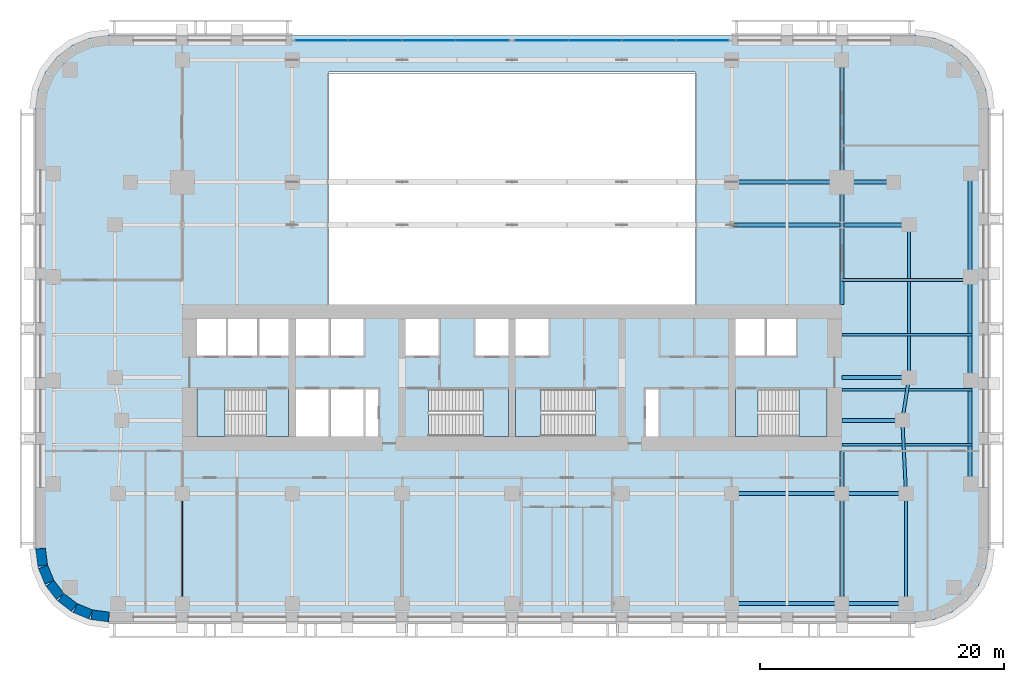
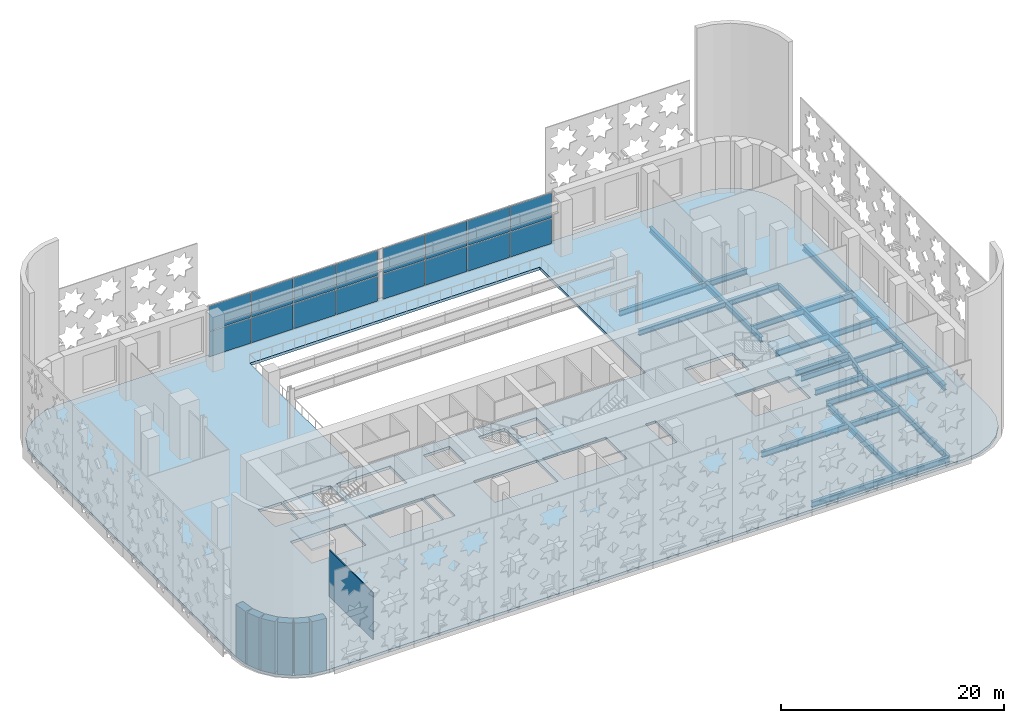
# One storey, part 3 of 17: 19 beams, 16 plates, 9 slabs, 7 walls, 6 elements without a shape of their own.
"""IFC4 building model written with IfcOpenShell, lengths in metres."""

import ifcopenshell
import ifcopenshell.guid

model = None  # the IFC model being written
_history = None  # IfcOwnerHistory: only IFC2X3 demands one
_inside = {}  # id of a spatial element -> (the spatial element, [elements in it])
_under = {}  # id of a project, library or spatial element -> (it, [spatial elements below it])
_declared = {}  # id of a project -> (the project, [libraries it declares])
_typed = {}  # id of a type object -> (the type object, [elements of that type])
_made_of = {}  # id of a material, layer set ... -> (it, [elements and type objects made of it])


def new_model(schema):
    """Start an empty IFC model of exactly this schema.

    Asked for "IFC4X3", IfcOpenShell would pick the latest addendum, in which some entities
    have other attributes; the version numbers below select the first issue.
    IFC2X3 requires an IfcOwnerHistory on every rooted entity: one is made here for all.
    """
    global model, _history
    if schema == "IFC4X3":
        model = ifcopenshell.file(schema_version=(4, 3, 0, 0))
    else:
        model = ifcopenshell.file(schema=schema)
    _inside.clear()
    _under.clear()
    _declared.clear()
    _typed.clear()
    _made_of.clear()
    _history = None
    if model.schema == "IFC2X3":
        org = make("IfcOrganization", Name="unknown")
        user = make(
            "IfcPersonAndOrganization",
            ThePerson=make("IfcPerson", FamilyName="unknown"),
            TheOrganization=org,
        )
        app = make(
            "IfcApplication",
            ApplicationDeveloper=org,
            Version="unknown",
            ApplicationFullName="unknown",
            ApplicationIdentifier="unknown",
        )
        _history = make(
            "IfcOwnerHistory",
            OwningUser=user,
            OwningApplication=app,
            ChangeAction="ADDED",
            CreationDate=0,
        )
    return model


def make(cls, **values):
    """One entity of the class cls with the attributes given. An attribute that is None is left unset."""
    return model.create_entity(
        cls, **{name: value for name, value in values.items() if value is not None}
    )


def rooted(cls, **values):
    """An entity with a GlobalId (a new one), such as an element, a storey or a relation."""
    return make(cls, GlobalId=ifcopenshell.guid.new(), OwnerHistory=_history, **values)


def si_unit(unit_type, name, prefix=None):
    """IfcSIUnit, for example si_unit("LENGTHUNIT", "METRE", prefix="MILLI")."""
    return make("IfcSIUnit", UnitType=unit_type, Prefix=prefix, Name=name)


def assignment(units):
    """IfcUnitAssignment: the units of a project."""
    return None if units is None else make("IfcUnitAssignment", Units=units)


def point(xyz):
    """IfcCartesianPoint."""
    return None if xyz is None else make("IfcCartesianPoint", Coordinates=xyz)


def direction(xyz):
    """IfcDirection."""
    return None if xyz is None else make("IfcDirection", DirectionRatios=xyz)


def frame(location, z_axis=None, x_axis=None):
    """IfcAxis2Placement3D, a coordinate frame: its origin and axes. An axis left out is left unset."""
    return make(
        "IfcAxis2Placement3D",
        Location=point(location),
        Axis=direction(z_axis),
        RefDirection=direction(x_axis),
    )


def frame_2d(location, x_axis=None):
    """IfcAxis2Placement2D, a coordinate frame in the plane: its origin and x axis."""
    return make(
        "IfcAxis2Placement2D", Location=point(location), RefDirection=direction(x_axis)
    )


def origin():
    """The frame at (0, 0, 0) with its axes left unset."""
    return frame((0.0, 0.0, 0.0))


def origin_2d():
    """The frame at (0, 0) in the plane with its x axis left unset."""
    return frame_2d((0.0, 0.0))


def place(relative_to, where):
    """IfcLocalPlacement: puts the frame where relative to a parent placement (None: the world)."""
    return make(
        "IfcLocalPlacement", PlacementRelTo=relative_to, RelativePlacement=where
    )


def context(
    kind, dimensions, precision=None, world=None, true_north=None, identifier=None
):
    """IfcGeometricRepresentationContext, for example the 3D "Model" context."""
    return make(
        "IfcGeometricRepresentationContext",
        ContextIdentifier=identifier,
        ContextType=kind,
        CoordinateSpaceDimension=dimensions,
        Precision=precision,
        WorldCoordinateSystem=world,
        TrueNorth=true_north,
    )


def subcontext(parent, identifier, kind, view, scale=None):
    """IfcGeometricRepresentationSubContext, for example "Body" below "Model"."""
    return make(
        "IfcGeometricRepresentationSubContext",
        ContextIdentifier=identifier,
        ContextType=kind,
        ParentContext=parent,
        TargetScale=scale,
        TargetView=view,
    )


def project(units=None, contexts=None):
    """IfcProject with its units and contexts."""
    return rooted(
        "IfcProject",
        Name="project",
        RepresentationContexts=contexts,
        UnitsInContext=assignment(units),
    )


def spatial(cls, under=None, at=None, **own):
    """A site, building, storey or space (cls), placed at a placement, below another one or the project."""
    s = rooted(cls, ObjectPlacement=at, **own)
    if under is not None:
        _under.setdefault(under.id(), (under, []))[1].append(s)
    return s


def polyline(points):
    """IfcPolyline through the points."""
    return make("IfcPolyline", Points=[point(p) for p in points])


def profile(cls, at=None, kind="AREA", **sizes):
    """A parametric profile (cls). Its sizes go by their IFC names, for example OverallWidth=200.0."""
    return make(cls, ProfileType=kind, Position=at, **sizes)


def rectangle(**sizes):
    """IfcRectangleProfileDef."""
    return profile("IfcRectangleProfileDef", **sizes)


def i_section(**sizes):
    """IfcIShapeProfileDef."""
    return profile("IfcIShapeProfileDef", **sizes)


def outline(outer, holes=None, kind="AREA"):
    """IfcArbitraryClosedProfileDef: a profile drawn as a closed curve; with holes, ...WithVoids."""
    if holes is None:
        return make("IfcArbitraryClosedProfileDef", ProfileType=kind, OuterCurve=outer)
    return make(
        "IfcArbitraryProfileDefWithVoids",
        ProfileType=kind,
        OuterCurve=outer,
        InnerCurves=holes,
    )


def extrude(swept, where, along, depth):
    """IfcExtrudedAreaSolid: the profile swept, set in the frame where, extruded along a direction by depth."""
    return make(
        "IfcExtrudedAreaSolid",
        SweptArea=swept,
        Position=where,
        ExtrudedDirection=direction(along),
        Depth=depth,
    )


def shape(context_of_items, identifier, shape_type, items):
    """IfcShapeRepresentation: the items that make up one representation, for example the "Body"."""
    return make(
        "IfcShapeRepresentation",
        ContextOfItems=context_of_items,
        RepresentationIdentifier=identifier,
        RepresentationType=shape_type,
        Items=items,
    )


def material(Name=None, Category=None):
    """IfcMaterial."""
    return make("IfcMaterial", Name=Name, Category=Category)


def layer(
    of_material, thickness, ventilated=None, Name=None, Category=None, Priority=None
):
    """IfcMaterialLayer: one layer of a wall or slab, of a material (None: an air gap)."""
    return make(
        "IfcMaterialLayer",
        Material=of_material,
        LayerThickness=thickness,
        IsVentilated=ventilated,
        Name=Name,
        Category=Category,
        Priority=Priority,
    )


def layer_set(layers, Name=None):
    """IfcMaterialLayerSet."""
    return make("IfcMaterialLayerSet", MaterialLayers=layers, LayerSetName=Name)


def material_profile(
    of_material, cross_section, Name=None, Category=None, Priority=None
):
    """IfcMaterialProfile: a cross section and its material."""
    return make(
        "IfcMaterialProfile",
        Name=Name,
        Material=of_material,
        Profile=cross_section,
        Priority=Priority,
        Category=Category,
    )


def profile_set(profiles, Name=None, composite=None):
    """IfcMaterialProfileSet."""
    return make(
        "IfcMaterialProfileSet",
        Name=Name,
        MaterialProfiles=profiles,
        CompositeProfile=composite,
    )


def made_of(thing, what):
    """Note that an element or type object is made of a material, layer set ...; save() writes the relation."""
    if what is not None:
        _made_of.setdefault(what.id(), (what, []))[1].append(thing)
    return thing


def type_object(cls, material=None, **own):
    """A type object (cls), such as IfcWallType, which elements share."""
    return made_of(rooted(cls, **own), material)


def element(
    cls,
    number,
    at=None,
    inside=None,
    cuts=None,
    type_object=None,
    material=None,
    context=None,
    identifier="Body",
    shape_type=None,
    held_by="IfcProductDefinitionShape",
    body=None,
    shapes=None,
    **own,
):
    """One element of the class cls, such as IfcWall. Its Tag is "e" and its number.

    at: its placement. inside: the storey or other place that contains it. cuts: it is an
    opening in that element (IfcRelVoidsElement). A single representation is given by context,
    identifier, shape_type and body (its items); several are given by shapes. held_by: the class
    of the entity that holds the representations. save() writes the other relations.
    """
    e = rooted(cls, Tag="e%d" % number, ObjectPlacement=at, **own)
    if body is not None:
        shapes = [shape(context, identifier, shape_type, body)]
    if shapes is not None:
        e.Representation = make(held_by, Representations=shapes)
    if inside is not None:
        _inside.setdefault(inside.id(), (inside, []))[1].append(e)
    if cuts is not None:
        rooted(
            "IfcRelVoidsElement", RelatingBuildingElement=cuts, RelatedOpeningElement=e
        )
    if type_object is not None:
        _typed.setdefault(type_object.id(), (type_object, []))[1].append(e)
    return made_of(e, material)


def aggregate(whole, parts):
    """IfcRelAggregates: a whole, such as a stair, and the parts it consists of."""
    return rooted("IfcRelAggregates", RelatingObject=whole, RelatedObjects=parts)


def save(model, path):
    """Write the relations noted so far, then the file.

    IfcRelAggregates (storeys below a building ...), IfcRelContainedInSpatialStructure (elements
    in a storey), IfcRelDefinesByType, IfcRelAssociatesMaterial and IfcRelDeclares: one each for
    every whole, place, type object, material and project.
    """
    for whole, parts in _under.values():
        aggregate(whole, parts)
    for where, things in _inside.values():
        rooted(
            "IfcRelContainedInSpatialStructure",
            RelatedElements=things,
            RelatingStructure=where,
        )
    for kind, things in _typed.values():
        rooted("IfcRelDefinesByType", RelatedObjects=things, RelatingType=kind)
    for what, things in _made_of.values():
        rooted("IfcRelAssociatesMaterial", RelatedObjects=things, RelatingMaterial=what)
    for by, libraries in _declared.values():
        rooted("IfcRelDeclares", RelatingContext=by, RelatedDefinitions=libraries)
    model.write(path)


model = new_model("IFC4")

# Units and contexts
model_context = context("Model", 3, precision=1e-05, world=origin(), true_north=direction((0.0, 1.0)))
body_context = subcontext(model_context, "Body", "Model", "MODEL_VIEW")
ifc_project = project(units=[si_unit("LENGTHUNIT", "METRE"), si_unit("AREAUNIT", "SQUARE_METRE"), si_unit("VOLUMEUNIT", "CUBIC_METRE"), si_unit("PLANEANGLEUNIT", "RADIAN"), si_unit("MASSUNIT", "GRAM", prefix="KILO")], contexts=[model_context])

# Site, building, storey
site_placement = place(None, origin())
site = spatial("IfcSite", under=ifc_project, at=site_placement, CompositionType="ELEMENT")
building_placement = place(site_placement, origin())
building = spatial("IfcBuilding", under=site, at=building_placement, Name="Zellij Exchange Tower", CompositionType="ELEMENT")
storey_placement = place(building_placement, frame((0.0, 0.0, 21.0)))
storey = spatial("IfcBuildingStorey", under=building, at=storey_placement, Name="L03", CompositionType="ELEMENT", Elevation=21.0)

# Beams
ifc_material_1 = material(Name="Structural steel ASTM A992 Gr 50", Category="steel")
ifc_material_profile_1 = material_profile(ifc_material_1, i_section(OverallWidth=0.22900390625, OverallDepth=0.612060546875, WebThickness=0.011962890625, FlangeThickness=0.01953125, at=origin_2d()), Name="W24x84")
ifc_profile_set_1 = profile_set([ifc_material_profile_1], Name="Structural steel ASTM A992 Gr 50")
beam_type_1 = type_object("IfcBeamType", Name="STR-BEAM W24x84", PredefinedType="BEAM", material=ifc_profile_set_1)
for number, where, z_axis, x_axis, name in (
    (1, (27.0, -13.5, -0.606201171875), (1.0, 0.0, 0.0), (0.0, 1.0, 0.0), "B6"),
    (2, (27.0, -9.0, -0.606201171875), (1.0, 0.0, 0.0), (0.0, 1.0, 0.0), "B6"),
    (3, (27.0, -4.5, -0.606201171875), (1.0, 0.0, 0.0), (0.0, 1.0, 0.0), "B6"),
    (4, (27.0, 0.0, -0.606201171875), (1.0, 0.0, 0.0), (0.0, 1.0, 0.0), "B6"),
):
    element("IfcBeam", number, at=place(storey_placement, frame(where, z_axis=z_axis, x_axis=x_axis)), inside=storey, type_object=beam_type_1, Name=name, PredefinedType="BEAM", context=body_context, shape_type="SweptSolid", body=[
        extrude(i_section(OverallWidth=0.22900390625, OverallDepth=0.612060546875, WebThickness=0.011962890625, FlangeThickness=0.01953125, at=origin_2d()), origin(), (0.0, 0.0, 1.0), 10.66259765625),
    ])
ifc_material_profile_2 = material_profile(ifc_material_1, i_section(OverallWidth=0.25390625, OverallDepth=0.67822265625, WebThickness=0.01171875, FlangeThickness=0.016357421875, at=origin_2d()), Name="W27x84")
ifc_profile_set_2 = profile_set([ifc_material_profile_2], Name="Structural steel ASTM A992 Gr 50")
beam_type_2 = type_object("IfcBeamType", Name="STR-EDGE GIRDER W27x84", PredefinedType="BEAM", material=ifc_profile_set_2)
beam_1_placement = place(storey_placement, frame((32.25, -26.5, -0.63916015625), z_axis=(0.0, 1.0, 0.0), x_axis=(-1.0, 0.0, 0.0)))
element("IfcBeam", 5, at=beam_1_placement, inside=storey, type_object=beam_type_2, Name="EB7", PredefinedType="BEAM", context=body_context, shape_type="SweptSolid", body=[
    extrude(i_section(OverallWidth=0.25390625, OverallDepth=0.67822265625, WebThickness=0.01171875, FlangeThickness=0.016357421875, at=origin_2d()), origin(), (0.0, 0.0, 1.0), 9.0),
])
beam_2_placement = place(storey_placement, frame((32.25, -17.5, -0.63916015625), z_axis=(-0.049945724537, 0.998751933465, 0.0), x_axis=(-0.998751933465, -0.049945724537, 0.0)))
element("IfcBeam", 6, at=beam_2_placement, inside=storey, type_object=beam_type_2, Name="EB7", PredefinedType="BEAM", context=body_context, shape_type="SweptSolid", body=[
    extrude(i_section(OverallWidth=0.25390625, OverallDepth=0.67822265625, WebThickness=0.01171875, FlangeThickness=0.016357421875, at=origin_2d()), origin(), (0.0, 0.0, 1.0), 6.007568359375),
])
beam_3_placement = place(storey_placement, frame((31.949951171875, -11.5, -0.63916015625), z_axis=(0.155251283593, 0.987875011802, 0.0), x_axis=(-0.987875011802, 0.155251283593, 0.0)))
element("IfcBeam", 7, at=beam_3_placement, inside=storey, type_object=beam_type_2, Name="EB7", PredefinedType="BEAM", context=body_context, shape_type="SweptSolid", body=[
    extrude(i_section(OverallWidth=0.25390625, OverallDepth=0.67822265625, WebThickness=0.01171875, FlangeThickness=0.016357421875, at=origin_2d()), origin(), (0.0, 0.0, 1.0), 3.54296875),
])
beam_4_placement = place(storey_placement, frame((32.5, -8.0, -0.63916015625), z_axis=(0.0, 1.0, 0.0), x_axis=(-1.0, 0.0, 0.0)))
element("IfcBeam", 8, at=beam_4_placement, inside=storey, type_object=beam_type_2, Name="EB7", PredefinedType="BEAM", context=body_context, shape_type="SweptSolid", body=[
    extrude(i_section(OverallWidth=0.25390625, OverallDepth=0.67822265625, WebThickness=0.01171875, FlangeThickness=0.016357421875, at=origin_2d()), origin(), (0.0, 0.0, 1.0), 12.5),
])
ifc_material_profile_3 = material_profile(ifc_material_1, i_section(OverallWidth=0.3251953125, OverallDepth=0.612060546875, WebThickness=0.0126953125, FlangeThickness=0.01904296875, at=origin_2d()), Name="W24x104")
ifc_profile_set_3 = profile_set([ifc_material_profile_3], Name="Structural steel ASTM A992 Gr 50")
beam_type_3 = type_object("IfcBeamType", Name="STR-GIRDER W24x104", PredefinedType="BEAM", material=ifc_profile_set_3)
for number, where, z_axis, x_axis, name in (
    (9, (18.0, -26.5, -0.606201171875), (1.0, 0.0, 0.0), (0.0, 1.0, 0.0), "G3"),
    (10, (18.0, -17.5, -0.606201171875), (1.0, 0.0, 0.0), (0.0, 1.0, 0.0), "G3"),
):
    element("IfcBeam", number, at=place(storey_placement, frame(where, z_axis=z_axis, x_axis=x_axis)), inside=storey, type_object=beam_type_3, Name=name, PredefinedType="BEAM", context=body_context, shape_type="SweptSolid", body=[
        extrude(i_section(OverallWidth=0.3251953125, OverallDepth=0.612060546875, WebThickness=0.0126953125, FlangeThickness=0.01904296875, at=origin_2d()), origin(), (0.0, 0.0, 1.0), 14.25),
    ])
beam_5_placement = place(storey_placement, frame((27.0, -11.5, -0.606201171875), z_axis=(1.0, 0.0, 0.0), x_axis=(0.0, 1.0, 0.0)))
element("IfcBeam", 11, at=beam_5_placement, inside=storey, type_object=beam_type_3, Name="G3", PredefinedType="BEAM", context=body_context, shape_type="SweptSolid", body=[
    extrude(i_section(OverallWidth=0.3251953125, OverallDepth=0.612060546875, WebThickness=0.0126953125, FlangeThickness=0.01904296875, at=origin_2d()), origin(), (0.0, 0.0, 1.0), 4.949951171875),
])
beam_6_placement = place(storey_placement, frame((27.0, -8.0, -0.606201171875), z_axis=(1.0, 0.0, 0.0), x_axis=(0.0, 1.0, 0.0)))
element("IfcBeam", 12, at=beam_6_placement, inside=storey, type_object=beam_type_3, Name="G3", PredefinedType="BEAM", context=body_context, shape_type="SweptSolid", body=[
    extrude(i_section(OverallWidth=0.3251953125, OverallDepth=0.612060546875, WebThickness=0.0126953125, FlangeThickness=0.01904296875, at=origin_2d()), origin(), (0.0, 0.0, 1.0), 5.5),
])
beam_7_placement = place(storey_placement, frame((18.0, 4.5, -0.606201171875), z_axis=(1.0, 0.0, 0.0), x_axis=(0.0, 1.0, 0.0)))
element("IfcBeam", 13, at=beam_7_placement, inside=storey, type_object=beam_type_3, Name="G3", PredefinedType="BEAM", context=body_context, shape_type="SweptSolid", body=[
    extrude(i_section(OverallWidth=0.3251953125, OverallDepth=0.612060546875, WebThickness=0.0126953125, FlangeThickness=0.01904296875, at=origin_2d()), origin(), (0.0, 0.0, 1.0), 14.5),
])
beam_8_placement = place(storey_placement, frame((18.0, 8.0, -0.606201171875), z_axis=(1.0, 0.0, 0.0), x_axis=(0.0, 1.0, 0.0)))
element("IfcBeam", 14, at=beam_8_placement, inside=storey, type_object=beam_type_3, Name="G3", PredefinedType="BEAM", context=body_context, shape_type="SweptSolid", body=[
    extrude(i_section(OverallWidth=0.3251953125, OverallDepth=0.612060546875, WebThickness=0.0126953125, FlangeThickness=0.01904296875, at=origin_2d()), origin(), (0.0, 0.0, 1.0), 13.25),
])
beam_9_placement = place(storey_placement, frame((27.0, -26.5, -0.606201171875), z_axis=(0.0, 1.0, 0.0), x_axis=(-1.0, 0.0, 0.0)))
element("IfcBeam", 15, at=beam_9_placement, inside=storey, type_object=beam_type_3, Name="G3", PredefinedType="BEAM", context=body_context, shape_type="SweptSolid", body=[
    extrude(i_section(OverallWidth=0.3251953125, OverallDepth=0.612060546875, WebThickness=0.0126953125, FlangeThickness=0.01904296875, at=origin_2d()), origin(), (0.0, 0.0, 1.0), 12.5),
])
for number, where, z_axis, x_axis, name in (
    (16, (27.0, -2.0, -0.606201171875), (0.0, 1.0, 0.0), (-1.0, 0.0, 0.0), "G3"),
    (17, (27.0, 8.0, -0.606201171875), (0.0, 1.0, 0.0), (-1.0, 0.0, 0.0), "G3"),
):
    element("IfcBeam", number, at=place(storey_placement, frame(where, z_axis=z_axis, x_axis=x_axis)), inside=storey, type_object=beam_type_3, Name=name, PredefinedType="BEAM", context=body_context, shape_type="SweptSolid", body=[
        extrude(i_section(OverallWidth=0.3251953125, OverallDepth=0.612060546875, WebThickness=0.0126953125, FlangeThickness=0.01904296875, at=origin_2d()), origin(), (0.0, 0.0, 1.0), 10.0),
    ])
beam_10_placement = place(storey_placement, frame((37.5, -16.708984375, -0.606201171875), z_axis=(0.0, 1.0, 0.0), x_axis=(-1.0, 0.0, 0.0)))
element("IfcBeam", 18, at=beam_10_placement, inside=storey, type_object=beam_type_3, Name="G3", PredefinedType="BEAM", context=body_context, shape_type="SweptSolid", body=[
    extrude(i_section(OverallWidth=0.3251953125, OverallDepth=0.612060546875, WebThickness=0.0126953125, FlangeThickness=0.01904296875, at=origin_2d()), origin(), (0.0, 0.0, 1.0), 16.945068359375),
])
beam_11_placement = place(storey_placement, frame((37.5, 0.236083984375, -0.606201171875), z_axis=(0.0, 1.0, 0.0), x_axis=(-1.0, 0.0, 0.0)))
element("IfcBeam", 19, at=beam_11_placement, inside=storey, type_object=beam_type_3, Name="G3", PredefinedType="BEAM", context=body_context, shape_type="SweptSolid", body=[
    extrude(i_section(OverallWidth=0.3251953125, OverallDepth=0.612060546875, WebThickness=0.0126953125, FlangeThickness=0.01904296875, at=origin_2d()), origin(), (0.0, 0.0, 1.0), 8.472900390625),
])

# Stair, slabs
ifc_material_2 = material(Name="Concrete C40/50", Category="concrete")
stair_type = type_object("IfcStairType", Name="CORE-ST exit stair 1850 wide", PredefinedType="HALF_TURN_STAIR", material=ifc_material_2)
stair_1_placement = place(storey_placement, origin())
stair_1 = element("IfcStair", 20, at=stair_1_placement, inside=storey, type_object=stair_type, Name="L03 exit stair ST1", PredefinedType="HALF_TURN_STAIR")
ifc_layer_1 = layer(ifc_material_2, 0.199951171875)
ifc_layer_set_1 = layer_set([ifc_layer_1], Name="Concrete C40/50")
slab_type_1 = type_object("IfcSlabType", Name="CORE-SL stair landing 200", PredefinedType="LANDING", material=ifc_layer_set_1)
slab_1_placement = place(storey_placement, frame((0.0, 0.0, 1.300048828125)))
slab_1 = element("IfcSlab", 21, at=slab_1_placement, type_object=slab_type_1, Name="ST1 landing 1", PredefinedType="LANDING", context=body_context, shape_type="SweptSolid", body=[
    extrude(outline(polyline([(-23.510009765625, -8.949951171875), (-25.800048828125, -8.949951171875), (-25.800048828125, -12.800048828125), (-23.510009765625, -12.800048828125), (-23.510009765625, -8.949951171875)])), origin(), (0.0, 0.0, 1.0), 0.199951171875),
])
slab_2_placement = place(storey_placement, frame((0.0, 0.0, 2.800048828125)))
slab_2 = element("IfcSlab", 22, at=slab_2_placement, type_object=slab_type_1, Name="ST1 landing 2", PredefinedType="LANDING", context=body_context, shape_type="SweptSolid", body=[
    extrude(outline(polyline([(-18.300048828125, -8.949951171875), (-20.14990234375, -8.949951171875), (-20.14990234375, -12.800048828125), (-18.300048828125, -12.800048828125), (-18.300048828125, -8.949951171875)])), origin(), (0.0, 0.0, 1.0), 0.199951171875),
])
slab_3_placement = place(storey_placement, frame((0.0, 0.0, 4.300048828125)))
slab_3 = element("IfcSlab", 23, at=slab_3_placement, type_object=slab_type_1, Name="ST1 landing 3", PredefinedType="LANDING", context=body_context, shape_type="SweptSolid", body=[
    extrude(outline(polyline([(-23.510009765625, -8.949951171875), (-25.800048828125, -8.949951171875), (-25.800048828125, -12.800048828125), (-23.510009765625, -12.800048828125), (-23.510009765625, -8.949951171875)])), origin(), (0.0, 0.0, 1.0), 0.199951171875),
])
aggregate(stair_1, [slab_1, slab_2, slab_3])

# Stair, slab
stair_2_placement = place(storey_placement, origin())
stair_2 = element("IfcStair", 24, at=stair_2_placement, inside=storey, type_object=stair_type, Name="L03 exit stair ST2", PredefinedType="HALF_TURN_STAIR")
slab_4_placement = place(storey_placement, frame((0.0, 0.0, 2.800048828125)))
slab_4 = element("IfcSlab", 25, at=slab_4_placement, type_object=slab_type_1, Name="ST2 landing 1", PredefinedType="LANDING", context=body_context, shape_type="SweptSolid", body=[
    extrude(outline(polyline([(-2.3701171875, -12.800048828125), (-0.300048828125, -12.800048828125), (-0.300048828125, -8.949951171875), (-2.3701171875, -8.949951171875), (-2.3701171875, -12.800048828125)])), origin(), (0.0, 0.0, 1.0), 0.199951171875),
])
aggregate(stair_2, [slab_4])

stair_3_placement = place(storey_placement, origin())
stair_3 = element("IfcStair", 26, at=stair_3_placement, inside=storey, type_object=stair_type, Name="L03 exit stair ST3", PredefinedType="HALF_TURN_STAIR")
slab_5_placement = place(storey_placement, frame((0.0, 0.0, 2.800048828125)))
slab_5 = element("IfcSlab", 27, at=slab_5_placement, type_object=slab_type_1, Name="ST3 landing 1", PredefinedType="LANDING", context=body_context, shape_type="SweptSolid", body=[
    extrude(outline(polyline([(2.3701171875, -8.949951171875), (0.300048828125, -8.949951171875), (0.300048828125, -12.800048828125), (2.3701171875, -12.800048828125), (2.3701171875, -8.949951171875)])), origin(), (0.0, 0.0, 1.0), 0.199951171875),
])
aggregate(stair_3, [slab_5])

# Stair, slabs
stair_4_placement = place(storey_placement, origin())
stair_4 = element("IfcStair", 28, at=stair_4_placement, inside=storey, type_object=stair_type, Name="L03 exit stair ST4", PredefinedType="HALF_TURN_STAIR")
slab_6_placement = place(storey_placement, frame((0.0, 0.0, 1.300048828125)))
slab_6 = element("IfcSlab", 29, at=slab_6_placement, type_object=slab_type_1, Name="ST4 landing 1", PredefinedType="LANDING", context=body_context, shape_type="SweptSolid", body=[
    extrude(outline(polyline([(23.510009765625, -12.800048828125), (25.800048828125, -12.800048828125), (25.800048828125, -8.949951171875), (23.510009765625, -8.949951171875), (23.510009765625, -12.800048828125)])), origin(), (0.0, 0.0, 1.0), 0.199951171875),
])
slab_7_placement = place(storey_placement, frame((0.0, 0.0, 2.800048828125)))
slab_7 = element("IfcSlab", 30, at=slab_7_placement, type_object=slab_type_1, Name="ST4 landing 2", PredefinedType="LANDING", context=body_context, shape_type="SweptSolid", body=[
    extrude(outline(polyline([(18.300048828125, -12.800048828125), (20.14990234375, -12.800048828125), (20.14990234375, -8.949951171875), (18.300048828125, -8.949951171875), (18.300048828125, -12.800048828125)])), origin(), (0.0, 0.0, 1.0), 0.199951171875),
])
slab_8_placement = place(storey_placement, frame((0.0, 0.0, 4.300048828125)))
slab_8 = element("IfcSlab", 31, at=slab_8_placement, type_object=slab_type_1, Name="ST4 landing 3", PredefinedType="LANDING", context=body_context, shape_type="SweptSolid", body=[
    extrude(outline(polyline([(23.510009765625, -12.800048828125), (25.800048828125, -12.800048828125), (25.800048828125, -8.949951171875), (23.510009765625, -8.949951171875), (23.510009765625, -12.800048828125)])), origin(), (0.0, 0.0, 1.0), 0.199951171875),
])
aggregate(stair_4, [slab_6, slab_7, slab_8])

# Curtain wall, plates
ifc_material_3 = material(Name="Aluminium frame, clear insulating glass", Category="aluminium")
curtain_wall_type = type_object("IfcCurtainWallType", Name="ENV-CW3 Exchange-hall glazing", PredefinedType="NOTDEFINED", material=ifc_material_3)
curtain_wall_1_placement = place(storey_placement, origin())
curtain_wall_1 = element("IfcCurtainWall", 32, at=curtain_wall_1_placement, inside=storey, type_object=curtain_wall_type, Name="cw.L03.14b", PredefinedType="NOTDEFINED")
ifc_material_4 = material(Name="Aluminium louvre", Category="aluminium")
ifc_layer_2 = layer(ifc_material_4, 0.0439453125)
ifc_layer_set_2 = layer_set([ifc_layer_2], Name="Aluminium louvre")
plate_type_1 = type_object("IfcPlateType", Name="ENV-CW3L Louvred panel 44", PredefinedType="CURTAIN_PANEL", material=ifc_layer_set_2)
plate_1_placement = place(storey_placement, frame((11.199951171875, 19.60009765625, 2.889892578125), z_axis=(0.0, 0.0, 1.0), x_axis=(-1.0, 0.0, 0.0)))
plate_1 = element("IfcPlate", 33, at=plate_1_placement, type_object=plate_type_1, Name="CW3 panel 2.2", PredefinedType="CURTAIN_PANEL", context=body_context, shape_type="SweptSolid", body=[
    extrude(rectangle(XDim=4.320068359375, YDim=0.0439453125, at=origin_2d()), origin(), (0.0, 0.0, 1.0), 2.72998046875),
])
plate_2_placement = place(storey_placement, frame((6.800048828125, 19.60009765625, 2.889892578125), z_axis=(0.0, 0.0, 1.0), x_axis=(-1.0, 0.0, 0.0)))
plate_2 = element("IfcPlate", 34, at=plate_2_placement, type_object=plate_type_1, Name="CW3 panel 3.2", PredefinedType="CURTAIN_PANEL", context=body_context, shape_type="SweptSolid", body=[
    extrude(rectangle(XDim=4.320068359375, YDim=0.0439453125, at=origin_2d()), origin(), (0.0, 0.0, 1.0), 2.72998046875),
])

curtain_wall_2_placement = place(storey_placement, origin())
curtain_wall_2 = element("IfcCurtainWall", 35, at=curtain_wall_2_placement, inside=storey, type_object=curtain_wall_type, Name="cw.L03.14c", PredefinedType="NOTDEFINED")
plate_3_placement = place(storey_placement, frame((-6.800048828125, 19.60009765625, 2.889892578125), z_axis=(0.0, 0.0, 1.0), x_axis=(-1.0, 0.0, 0.0)))
plate_3 = element("IfcPlate", 36, at=plate_3_placement, type_object=plate_type_1, Name="CW3 panel 2.2", PredefinedType="CURTAIN_PANEL", context=body_context, shape_type="SweptSolid", body=[
    extrude(rectangle(XDim=4.320068359375, YDim=0.0439453125, at=origin_2d()), origin(), (0.0, 0.0, 1.0), 2.72998046875),
])
plate_4_placement = place(storey_placement, frame((-11.199951171875, 19.60009765625, 2.889892578125), z_axis=(0.0, 0.0, 1.0), x_axis=(-1.0, 0.0, 0.0)))
plate_4 = element("IfcPlate", 37, at=plate_4_placement, type_object=plate_type_1, Name="CW3 panel 3.2", PredefinedType="CURTAIN_PANEL", context=body_context, shape_type="SweptSolid", body=[
    extrude(rectangle(XDim=4.320068359375, YDim=0.0439453125, at=origin_2d()), origin(), (0.0, 0.0, 1.0), 2.72998046875),
])

# Plate
ifc_material_5 = material(Name="Insulating glass unit, clear", Category="glass")
ifc_layer_3 = layer(ifc_material_5, 0.0439453125)
ifc_layer_set_3 = layer_set([ifc_layer_3], Name="Insulating glass unit, clear")
plate_type_2 = type_object("IfcPlateType", Name="ENV-CW3P Glazed panel 44", PredefinedType="CURTAIN_PANEL", material=ifc_layer_set_3)
plate_5_placement = place(storey_placement, frame((15.580078125, 19.60009765625, 0.080078125), z_axis=(0.0, 0.0, 1.0), x_axis=(-1.0, 0.0, 0.0)))
plate_5 = element("IfcPlate", 38, at=plate_5_placement, type_object=plate_type_2, Name="CW3 panel 1.1", PredefinedType="CURTAIN_PANEL", context=body_context, shape_type="SweptSolid", body=[
    extrude(rectangle(XDim=4.280029296875, YDim=0.0439453125, at=origin_2d()), origin(), (0.0, 0.0, 1.0), 2.72998046875),
])

plate_6_placement = place(storey_placement, frame((15.580078125, 19.60009765625, 2.889892578125), z_axis=(0.0, 0.0, 1.0), x_axis=(-1.0, 0.0, 0.0)))
plate_6 = element("IfcPlate", 39, at=plate_6_placement, type_object=plate_type_2, Name="CW3 panel 1.2", PredefinedType="CURTAIN_PANEL", context=body_context, shape_type="SweptSolid", body=[
    extrude(rectangle(XDim=4.280029296875, YDim=0.0439453125, at=origin_2d()), origin(), (0.0, 0.0, 1.0), 2.72998046875),
])

plate_7_placement = place(storey_placement, frame((11.199951171875, 19.60009765625, 0.080078125), z_axis=(0.0, 0.0, 1.0), x_axis=(-1.0, 0.0, 0.0)))
plate_7 = element("IfcPlate", 40, at=plate_7_placement, type_object=plate_type_2, Name="CW3 panel 2.1", PredefinedType="CURTAIN_PANEL", context=body_context, shape_type="SweptSolid", body=[
    extrude(rectangle(XDim=4.320068359375, YDim=0.0439453125, at=origin_2d()), origin(), (0.0, 0.0, 1.0), 2.72998046875),
])

plate_8_placement = place(storey_placement, frame((6.800048828125, 19.60009765625, 0.080078125), z_axis=(0.0, 0.0, 1.0), x_axis=(-1.0, 0.0, 0.0)))
plate_8 = element("IfcPlate", 41, at=plate_8_placement, type_object=plate_type_2, Name="CW3 panel 3.1", PredefinedType="CURTAIN_PANEL", context=body_context, shape_type="SweptSolid", body=[
    extrude(rectangle(XDim=4.320068359375, YDim=0.0439453125, at=origin_2d()), origin(), (0.0, 0.0, 1.0), 2.72998046875),
])

plate_9_placement = place(storey_placement, frame((2.419921875, 19.60009765625, 0.080078125), z_axis=(0.0, 0.0, 1.0), x_axis=(-1.0, 0.0, 0.0)))
plate_9 = element("IfcPlate", 42, at=plate_9_placement, type_object=plate_type_2, Name="CW3 panel 4.1", PredefinedType="CURTAIN_PANEL", context=body_context, shape_type="SweptSolid", body=[
    extrude(rectangle(XDim=4.280029296875, YDim=0.0439453125, at=origin_2d()), origin(), (0.0, 0.0, 1.0), 2.72998046875),
])

plate_10_placement = place(storey_placement, frame((2.419921875, 19.60009765625, 2.889892578125), z_axis=(0.0, 0.0, 1.0), x_axis=(-1.0, 0.0, 0.0)))
plate_10 = element("IfcPlate", 43, at=plate_10_placement, type_object=plate_type_2, Name="CW3 panel 4.2", PredefinedType="CURTAIN_PANEL", context=body_context, shape_type="SweptSolid", body=[
    extrude(rectangle(XDim=4.280029296875, YDim=0.0439453125, at=origin_2d()), origin(), (0.0, 0.0, 1.0), 2.72998046875),
])

aggregate(curtain_wall_1, [plate_5, plate_6, plate_7, plate_1, plate_8, plate_2, plate_9, plate_10])

plate_11_placement = place(storey_placement, frame((-2.419921875, 19.60009765625, 0.080078125), z_axis=(0.0, 0.0, 1.0), x_axis=(-1.0, 0.0, 0.0)))
plate_11 = element("IfcPlate", 44, at=plate_11_placement, type_object=plate_type_2, Name="CW3 panel 1.1", PredefinedType="CURTAIN_PANEL", context=body_context, shape_type="SweptSolid", body=[
    extrude(rectangle(XDim=4.280029296875, YDim=0.0439453125, at=origin_2d()), origin(), (0.0, 0.0, 1.0), 2.72998046875),
])

plate_12_placement = place(storey_placement, frame((-2.419921875, 19.60009765625, 2.889892578125), z_axis=(0.0, 0.0, 1.0), x_axis=(-1.0, 0.0, 0.0)))
plate_12 = element("IfcPlate", 45, at=plate_12_placement, type_object=plate_type_2, Name="CW3 panel 1.2", PredefinedType="CURTAIN_PANEL", context=body_context, shape_type="SweptSolid", body=[
    extrude(rectangle(XDim=4.280029296875, YDim=0.0439453125, at=origin_2d()), origin(), (0.0, 0.0, 1.0), 2.72998046875),
])

plate_13_placement = place(storey_placement, frame((-6.800048828125, 19.60009765625, 0.080078125), z_axis=(0.0, 0.0, 1.0), x_axis=(-1.0, 0.0, 0.0)))
plate_13 = element("IfcPlate", 46, at=plate_13_placement, type_object=plate_type_2, Name="CW3 panel 2.1", PredefinedType="CURTAIN_PANEL", context=body_context, shape_type="SweptSolid", body=[
    extrude(rectangle(XDim=4.320068359375, YDim=0.0439453125, at=origin_2d()), origin(), (0.0, 0.0, 1.0), 2.72998046875),
])

plate_14_placement = place(storey_placement, frame((-11.199951171875, 19.60009765625, 0.080078125), z_axis=(0.0, 0.0, 1.0), x_axis=(-1.0, 0.0, 0.0)))
plate_14 = element("IfcPlate", 47, at=plate_14_placement, type_object=plate_type_2, Name="CW3 panel 3.1", PredefinedType="CURTAIN_PANEL", context=body_context, shape_type="SweptSolid", body=[
    extrude(rectangle(XDim=4.320068359375, YDim=0.0439453125, at=origin_2d()), origin(), (0.0, 0.0, 1.0), 2.72998046875),
])

plate_15_placement = place(storey_placement, frame((-15.580078125, 19.60009765625, 0.080078125), z_axis=(0.0, 0.0, 1.0), x_axis=(-1.0, 0.0, 0.0)))
plate_15 = element("IfcPlate", 48, at=plate_15_placement, type_object=plate_type_2, Name="CW3 panel 4.1", PredefinedType="CURTAIN_PANEL", context=body_context, shape_type="SweptSolid", body=[
    extrude(rectangle(XDim=4.280029296875, YDim=0.0439453125, at=origin_2d()), origin(), (0.0, 0.0, 1.0), 2.72998046875),
])

plate_16_placement = place(storey_placement, frame((-15.580078125, 19.60009765625, 2.889892578125), z_axis=(0.0, 0.0, 1.0), x_axis=(-1.0, 0.0, 0.0)))
plate_16 = element("IfcPlate", 49, at=plate_16_placement, type_object=plate_type_2, Name="CW3 panel 4.2", PredefinedType="CURTAIN_PANEL", context=body_context, shape_type="SweptSolid", body=[
    extrude(rectangle(XDim=4.280029296875, YDim=0.0439453125, at=origin_2d()), origin(), (0.0, 0.0, 1.0), 2.72998046875),
])

aggregate(curtain_wall_2, [plate_11, plate_12, plate_13, plate_3, plate_14, plate_4, plate_15, plate_16])

# Slab
ifc_material_6 = material(Name="Concrete C50/60", Category="concrete")
ifc_layer_4 = layer(ifc_material_6, 0.300048828125)
ifc_layer_set_4 = layer_set([ifc_layer_4], Name="Concrete C50/60")
slab_type_2 = type_object("IfcSlabType", Name="STR-FLOOR SLAB 300 C50/60", PredefinedType="FLOOR", material=ifc_layer_set_4)
slab_9_placement = place(storey_placement, frame((0.0, 0.0, -0.300048828125)))
element("IfcSlab", 50, at=slab_9_placement, inside=storey, type_object=slab_type_2, Name="Floor L03", PredefinedType="FLOOR", context=body_context, shape_type="SweptSolid", body=[
    extrude(outline(polyline([(-33.0, -28.0), (-34.552978515625, -27.795654296875), (-36.0, -27.1962890625), (-37.24267578125, -26.24267578125), (-38.1962890625, -25.0), (-38.795654296875, -23.552978515625), (-39.0, -22.0), (-39.0, 14.0), (-38.795654296875, 15.552978515625), (-38.1962890625, 17.0), (-37.24267578125, 18.24267578125), (-36.0, 19.1962890625), (-34.552978515625, 19.795654296875), (-33.0, 20.0), (33.0, 20.0), (34.552978515625, 19.795654296875), (36.0, 19.1962890625), (37.24267578125, 18.24267578125), (38.1962890625, 17.0), (38.795654296875, 15.552978515625), (39.0, 14.0), (39.0, -22.0), (38.795654296875, -23.552978515625), (38.1962890625, -25.0), (37.24267578125, -26.24267578125), (36.0, -27.1962890625), (34.552978515625, -27.795654296875), (33.0, -28.0), (-33.0, -28.0)]), holes=[polyline([(-25.800048828125, -8.949951171875), (-25.800048828125, -12.800048828125), (-20.153076171875, -12.800048828125), (-20.153076171875, -8.949951171875), (-25.800048828125, -8.949951171875)]), polyline([(-12.14990234375, -8.949951171875), (-17.699951171875, -8.949951171875), (-17.699951171875, -12.800048828125), (-12.14990234375, -12.800048828125), (-12.14990234375, -8.949951171875)]), polyline([(-10.949951171875, -8.949951171875), (-12.0, -8.949951171875), (-12.0, -12.800048828125), (-10.949951171875, -12.800048828125), (-10.949951171875, -8.949951171875)]), polyline([(-0.300048828125, -8.949951171875), (-6.846923828125, -8.949951171875), (-6.846923828125, -12.800048828125), (-0.300048828125, -12.800048828125), (-0.300048828125, -8.949951171875)]), polyline([(-23.39990234375, -3.199951171875), (-25.800048828125, -3.199951171875), (-25.800048828125, -6.22509765625), (-23.39990234375, -6.22509765625), (-23.39990234375, -3.199951171875)]), polyline([(-18.300048828125, -3.199951171875), (-23.25, -3.199951171875), (-23.25, -6.22509765625), (-18.300048828125, -6.22509765625), (-18.300048828125, -3.199951171875)]), polyline([(-12.14990234375, -3.199951171875), (-17.699951171875, -3.199951171875), (-17.699951171875, -6.22509765625), (-12.14990234375, -6.22509765625), (-12.14990234375, -3.199951171875)]), polyline([(-6.0, -3.199951171875), (-8.699951171875, -3.199951171875), (-8.699951171875, -6.22509765625), (-6.0, -6.22509765625), (-6.0, -3.199951171875)]), polyline([(6.846923828125, -8.949951171875), (0.300048828125, -8.949951171875), (0.300048828125, -12.800048828125), (6.846923828125, -12.800048828125), (6.846923828125, -8.949951171875)]), polyline([(12.0, -8.949951171875), (10.949951171875, -8.949951171875), (10.949951171875, -12.800048828125), (12.0, -12.800048828125), (12.0, -8.949951171875)]), polyline([(25.800048828125, -8.949951171875), (20.153076171875, -8.949951171875), (20.153076171875, -12.800048828125), (25.800048828125, -12.800048828125), (25.800048828125, -8.949951171875)]), polyline([(-0.300048828125, -3.199951171875), (-3.0, -3.199951171875), (-3.0, -6.22509765625), (-0.300048828125, -6.22509765625), (-0.300048828125, -3.199951171875)]), polyline([(3.0, -3.199951171875), (0.300048828125, -3.199951171875), (0.300048828125, -6.22509765625), (3.0, -6.22509765625), (3.0, -3.199951171875)]), polyline([(23.25, -3.199951171875), (18.300048828125, -3.199951171875), (18.300048828125, -6.22509765625), (23.25, -6.22509765625), (23.25, -3.199951171875)]), polyline([(15.0, 17.0), (-15.0, 17.0), (-15.0, -2.0), (15.0, -2.0), (15.0, 17.0)])]), origin(), (0.0, 0.0, 1.0), 0.300048828125),
])

# Walls
ifc_material_7 = material(Name="Precast concrete C40/50", Category="concrete")
ifc_layer_5 = layer(ifc_material_7, 0.800048828125)
ifc_layer_set_5 = layer_set([ifc_layer_5], Name="Precast concrete C40/50")
wall_type_1 = type_object("IfcWallType", Name="ENV-EW1 Precast stone-piered wall 800", PredefinedType="SOLIDWALL", material=ifc_layer_set_5)
wall_1_placement = place(storey_placement, frame((-38.5966796875, -21.999755859375, 0.0), z_axis=(0.0, 0.0, 1.0), x_axis=(0.130517283865, -0.99144603414, 0.0)))
element("IfcWall", 51, at=wall_1_placement, inside=storey, type_object=wall_type_1, Name="fac.L03.22", PredefinedType="SOLIDWALL", context=body_context, shape_type="SweptSolid", body=[
    extrude(rectangle(XDim=1.408447265625, YDim=0.800048828125, at=frame_2d((0.7041015625, 0.0))), origin(), (0.0, 0.0, 1.0), 5.699951171875),
])
wall_2_placement = place(storey_placement, frame((-38.3857421875, -23.497314453125, 0.0), z_axis=(0.0, 0.0, 1.0), x_axis=(0.38276009378, -0.923847774587, 0.0)))
element("IfcWall", 52, at=wall_2_placement, inside=storey, type_object=wall_type_1, Name="fac.L03.23", PredefinedType="SOLIDWALL", context=body_context, shape_type="SweptSolid", body=[
    extrude(rectangle(XDim=1.35546875, YDim=0.800048828125, at=frame_2d((0.677734375, 0.0))), origin(), (0.0, 0.0, 1.0), 5.699951171875),
])
for number, where, z_axis, x_axis, name in (
    (53, (-37.814697265625, -24.840087890625, 0.0), (0.0, 0.0, 1.0), (0.608866226366, -0.793272915452, 0.0), "fac.L03.24"),
    (54, (-36.91552734375, -25.9892578125, 0.0), (0.0, 0.0, 1.0), (0.793272915452, -0.608866226366, 0.0), "fac.L03.25"),
):
    element("IfcWall", number, at=place(storey_placement, frame(where, z_axis=z_axis, x_axis=x_axis)), inside=storey, type_object=wall_type_1, Name=name, PredefinedType="SOLIDWALL", context=body_context, shape_type="SweptSolid", body=[
        extrude(rectangle(XDim=1.355712890625, YDim=0.800048828125, at=frame_2d((0.677734375, 0.0))), origin(), (0.0, 0.0, 1.0), 5.699951171875),
    ])
wall_3_placement = place(storey_placement, frame((-35.74951171875, -26.866943359375, 0.0), z_axis=(0.0, 0.0, 1.0), x_axis=(0.923847774587, -0.38276009378, 0.0)))
element("IfcWall", 55, at=wall_3_placement, inside=storey, type_object=wall_type_1, Name="fac.L03.26", PredefinedType="SOLIDWALL", context=body_context, shape_type="SweptSolid", body=[
    extrude(rectangle(XDim=1.35546875, YDim=0.800048828125, at=frame_2d((0.677734375, 0.0))), origin(), (0.0, 0.0, 1.0), 5.699951171875),
])
wall_4_placement = place(storey_placement, frame((-34.396240234375, -27.412841796875, 0.0), z_axis=(0.0, 0.0, 1.0), x_axis=(0.99144603414, -0.130517283865, 0.0)))
element("IfcWall", 56, at=wall_4_placement, inside=storey, type_object=wall_type_1, Name="fac.L03.27", PredefinedType="SOLIDWALL", context=body_context, shape_type="SweptSolid", body=[
    extrude(rectangle(XDim=1.408447265625, YDim=0.800048828125, at=frame_2d((0.7041015625, 0.0))), origin(), (0.0, 0.0, 1.0), 5.699951171875),
])
ifc_material_8 = material(Name="Gypsum board partition on steel studs", Category="steel")
ifc_layer_6 = layer(ifc_material_8, 0.10009765625)
ifc_layer_set_6 = layer_set([ifc_layer_6], Name="Gypsum board partition on steel studs")
wall_type_2 = type_object("IfcWallType", Name="FIT-PARTITION-100", PredefinedType="PARTITIONING", material=ifc_layer_set_6)
wall_5_placement = place(storey_placement, frame((-27.0, -25.89990234375, 0.0), z_axis=(0.0, 0.0, 1.0), x_axis=(0.0, 1.0, 0.0)))
element("IfcWall", 57, at=wall_5_placement, inside=storey, type_object=wall_type_2, Name="FIT-PARTITION-100 002", PredefinedType="PARTITIONING", context=body_context, shape_type="SweptSolid", body=[
    extrude(rectangle(XDim=7.7998046875, YDim=0.10009765625, at=frame_2d((3.89990234375, 0.0))), origin(), (0.0, 0.0, 1.0), 5.087890625),
])

save(model, "model.ifc")
